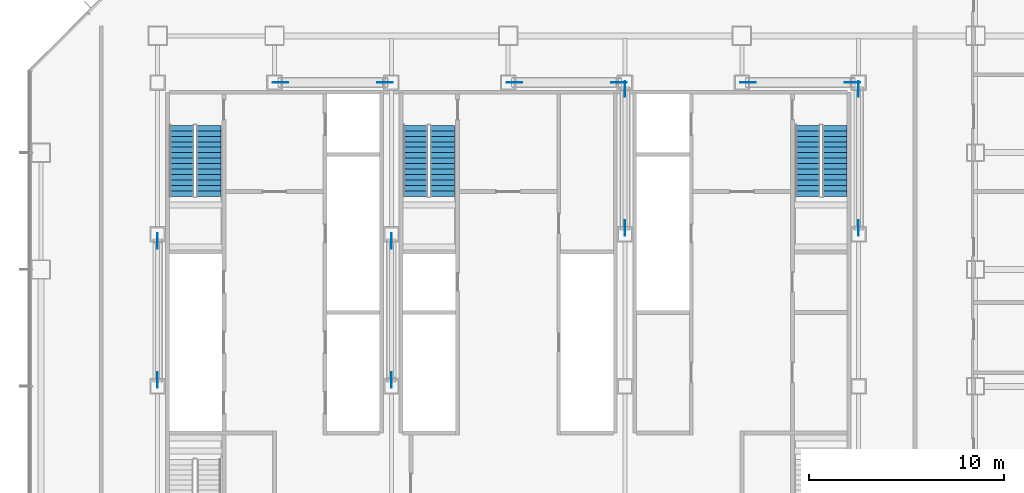
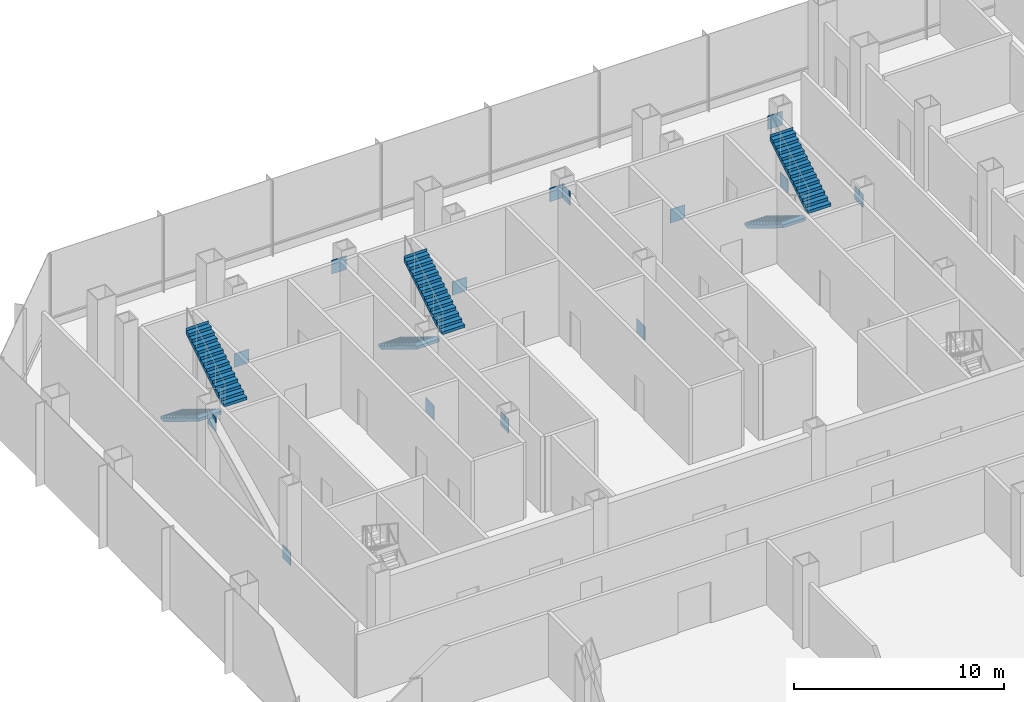
# One storey, part 26 of 33: 14 discrete accessories, 6 stair flights, 3 elements without a shape of their own.
"""IFC4 building model written with IfcOpenShell, lengths in metres."""

from ifc_helpers import new_model, si_unit, direction, frame, origin, origin_2d, place, context, subcontext, project, spatial, polyline, rectangle, outline, extrude, material, layer, layer_set, type_object, element, aggregate, save


model = new_model("IFC4")

# Units and contexts
model_context = context("Model", 3, precision=1e-05, world=origin(), true_north=direction((0.0, 1.0)))
body_context = subcontext(model_context, "Body", "Model", "MODEL_VIEW")
ifc_project = project(units=[si_unit("LENGTHUNIT", "METRE"), si_unit("AREAUNIT", "SQUARE_METRE"), si_unit("VOLUMEUNIT", "CUBIC_METRE"), si_unit("PLANEANGLEUNIT", "RADIAN"), si_unit("MASSUNIT", "GRAM", prefix="KILO")], contexts=[model_context])

# Site, building, storey
site_placement = place(None, origin())
site = spatial("IfcSite", under=ifc_project, at=site_placement, CompositionType="ELEMENT")
building_placement = place(site_placement, origin())
building = spatial("IfcBuilding", under=site, at=building_placement, Name="Sorahane Residences", CompositionType="ELEMENT")
storey_placement = place(building_placement, frame((0.0, 0.0, 30.0)))
storey = spatial("IfcBuildingStorey", under=building, at=storey_placement, Name="L04", CompositionType="ELEMENT", Elevation=30.0)

# Stair, stair flights
ifc_material_1 = material(Name="Concrete C40", Category="concrete")
stair_type = type_object("IfcStairType", Name="Dog-leg stair 1250 Concrete C40", PredefinedType="HALF_TURN_STAIR", material=ifc_material_1)
stair_1_placement = place(storey_placement, origin())
stair_1 = element("IfcStair", 1, at=stair_1_placement, inside=storey, type_object=stair_type, Name="L04 Stair S1", PredefinedType="HALF_TURN_STAIR")
ifc_material_2 = material(Name="Concrete C40", Category="concrete")
stair_flight_type = type_object("IfcStairFlightType", Name="Stair flight 1250 Concrete C40", PredefinedType="STRAIGHT", material=ifc_material_2)
stair_flight_1_placement = place(storey_placement, frame((7.22509765625, 43.39990234375, 0.0), z_axis=(0.0, 0.0, 1.0), x_axis=(0.0, -1.0, 0.0)))
stair_flight_1 = element("IfcStairFlight", 2, at=stair_flight_1_placement, type_object=stair_flight_type, Name="S1 flight 1", NumberOfRisers=14, NumberOfTreads=13, PredefinedType="STRAIGHT", RiserHeight=0.171428571, TreadLength=0.28, context=body_context, shape_type="SweptSolid", body=[
    extrude(outline(polyline([(-0.00146484375, 0.0), (-0.00146484375, 0.17138671875), (0.0, 0.17138671875), (0.280029296875, 0.17138671875), (0.280029296875, 0.3427734375), (0.56005859375, 0.3427734375), (0.56005859375, 0.514404296875), (0.840087890625, 0.514404296875), (0.840087890625, 0.685791015625), (1.1201171875, 0.685791015625), (1.1201171875, 0.857177734375), (1.39990234375, 0.857177734375), (1.39990234375, 1.028564453125), (1.679931640625, 1.028564453125), (1.679931640625, 1.199951171875), (1.9599609375, 1.199951171875), (1.9599609375, 1.371337890625), (2.239990234375, 1.371337890625), (2.239990234375, 1.54296875), (2.52001953125, 1.54296875), (2.52001953125, 1.71435546875), (2.800048828125, 1.71435546875), (2.800048828125, 1.8857421875), (3.080078125, 1.8857421875), (3.080078125, 2.05712890625), (3.360107421875, 2.05712890625), (3.360107421875, 2.228515625), (3.639892578125, 2.228515625), (3.639892578125, 2.39990234375), (3.639892578125, 2.052734375), (3.41650390625, 1.916015625), (3.19287109375, 1.779052734375), (2.969482421875, 1.642333984375), (2.745849609375, 1.50537109375), (2.5224609375, 1.36865234375), (2.298828125, 1.231689453125), (2.0751953125, 1.0947265625), (1.851806640625, 0.9580078125), (1.628173828125, 0.821044921875), (1.40478515625, 0.684326171875), (1.18115234375, 0.54736328125), (0.957763671875, 0.41064453125), (0.734130859375, 0.273681640625), (0.510498046875, 0.136962890625), (0.287109375, 0.0), (-0.00146484375, 0.0)])), frame((0.0, 0.625, 0.0), z_axis=(0.0, -1.0, 0.0), x_axis=(1.0, 0.0, 0.0)), (0.0, 0.0, 1.0), 1.25),
])
stair_flight_2_placement = place(storey_placement, frame((8.625, 39.760009765625, 2.39990234375), z_axis=(0.0, 0.0, 1.0), x_axis=(0.0, 1.0, 0.0)))
stair_flight_2 = element("IfcStairFlight", 3, at=stair_flight_2_placement, type_object=stair_flight_type, Name="S1 flight 2", NumberOfRisers=14, NumberOfTreads=13, PredefinedType="STRAIGHT", RiserHeight=0.171428571, TreadLength=0.28, context=body_context, shape_type="SweptSolid", body=[
    extrude(outline(polyline([(0.0, 0.0), (0.0, 0.17138671875), (0.280029296875, 0.17138671875), (0.280029296875, 0.3427734375), (0.56005859375, 0.3427734375), (0.56005859375, 0.514404296875), (0.840087890625, 0.514404296875), (0.840087890625, 0.685791015625), (1.1201171875, 0.685791015625), (1.1201171875, 0.857177734375), (1.39990234375, 0.857177734375), (1.39990234375, 1.028564453125), (1.679931640625, 1.028564453125), (1.679931640625, 1.199951171875), (1.9599609375, 1.199951171875), (1.9599609375, 1.371337890625), (2.239990234375, 1.371337890625), (2.239990234375, 1.54296875), (2.52001953125, 1.54296875), (2.52001953125, 1.71435546875), (2.800048828125, 1.71435546875), (2.800048828125, 1.8857421875), (3.080078125, 1.8857421875), (3.080078125, 2.05712890625), (3.360107421875, 2.05712890625), (3.360107421875, 2.228515625), (3.639892578125, 2.228515625), (3.639892578125, 2.39990234375), (3.6416015625, 2.39990234375), (3.6416015625, 2.052734375), (3.41796875, 1.916015625), (3.1943359375, 1.779052734375), (2.970703125, 1.642333984375), (2.7470703125, 1.50537109375), (2.5234375, 1.36865234375), (2.2998046875, 1.231689453125), (2.076171875, 1.0947265625), (1.8525390625, 0.9580078125), (1.62890625, 0.821044921875), (1.4052734375, 0.684326171875), (1.181640625, 0.54736328125), (0.9580078125, 0.41064453125), (0.734375, 0.273681640625), (0.5107421875, 0.136962890625), (0.287109375, 0.0), (0.0, 0.0)])), frame((0.0, 0.625, 0.0), z_axis=(0.0, -1.0, 0.0), x_axis=(1.0, 0.0, 0.0)), (0.0, 0.0, 1.0), 1.25),
])
aggregate(stair_1, [stair_flight_1, stair_flight_2])

stair_2_placement = place(storey_placement, origin())
stair_2 = element("IfcStair", 4, at=stair_2_placement, inside=storey, type_object=stair_type, Name="L04 Stair S2", PredefinedType="HALF_TURN_STAIR")
stair_flight_3_placement = place(storey_placement, frame((39.375, 43.39990234375, 0.0), z_axis=(0.0, 0.0, 1.0), x_axis=(0.0, -1.0, 0.0)))
stair_flight_3 = element("IfcStairFlight", 5, at=stair_flight_3_placement, type_object=stair_flight_type, Name="S2 flight 1", NumberOfRisers=14, NumberOfTreads=13, PredefinedType="STRAIGHT", RiserHeight=0.171428571, TreadLength=0.28, context=body_context, shape_type="SweptSolid", body=[
    extrude(outline(polyline([(-0.00146484375, 0.0), (-0.00146484375, 0.17138671875), (0.0, 0.17138671875), (0.280029296875, 0.17138671875), (0.280029296875, 0.3427734375), (0.56005859375, 0.3427734375), (0.56005859375, 0.514404296875), (0.840087890625, 0.514404296875), (0.840087890625, 0.685791015625), (1.1201171875, 0.685791015625), (1.1201171875, 0.857177734375), (1.39990234375, 0.857177734375), (1.39990234375, 1.028564453125), (1.679931640625, 1.028564453125), (1.679931640625, 1.199951171875), (1.9599609375, 1.199951171875), (1.9599609375, 1.371337890625), (2.239990234375, 1.371337890625), (2.239990234375, 1.54296875), (2.52001953125, 1.54296875), (2.52001953125, 1.71435546875), (2.800048828125, 1.71435546875), (2.800048828125, 1.8857421875), (3.080078125, 1.8857421875), (3.080078125, 2.05712890625), (3.360107421875, 2.05712890625), (3.360107421875, 2.228515625), (3.639892578125, 2.228515625), (3.639892578125, 2.39990234375), (3.639892578125, 2.052734375), (3.41650390625, 1.916015625), (3.19287109375, 1.779052734375), (2.969482421875, 1.642333984375), (2.745849609375, 1.50537109375), (2.5224609375, 1.36865234375), (2.298828125, 1.231689453125), (2.0751953125, 1.0947265625), (1.851806640625, 0.9580078125), (1.628173828125, 0.821044921875), (1.40478515625, 0.684326171875), (1.18115234375, 0.54736328125), (0.957763671875, 0.41064453125), (0.734130859375, 0.273681640625), (0.510498046875, 0.136962890625), (0.287109375, 0.0), (-0.00146484375, 0.0)])), frame((0.0, 0.625, 0.0), z_axis=(0.0, -1.0, 0.0), x_axis=(1.0, 0.0, 0.0)), (0.0, 0.0, 1.0), 1.25),
])
stair_flight_4_placement = place(storey_placement, frame((40.77490234375, 39.760009765625, 2.39990234375), z_axis=(0.0, 0.0, 1.0), x_axis=(0.0, 1.0, 0.0)))
stair_flight_4 = element("IfcStairFlight", 6, at=stair_flight_4_placement, type_object=stair_flight_type, Name="S2 flight 2", NumberOfRisers=14, NumberOfTreads=13, PredefinedType="STRAIGHT", RiserHeight=0.171428571, TreadLength=0.28, context=body_context, shape_type="SweptSolid", body=[
    extrude(outline(polyline([(0.0, 0.0), (0.0, 0.17138671875), (0.280029296875, 0.17138671875), (0.280029296875, 0.3427734375), (0.56005859375, 0.3427734375), (0.56005859375, 0.514404296875), (0.840087890625, 0.514404296875), (0.840087890625, 0.685791015625), (1.1201171875, 0.685791015625), (1.1201171875, 0.857177734375), (1.39990234375, 0.857177734375), (1.39990234375, 1.028564453125), (1.679931640625, 1.028564453125), (1.679931640625, 1.199951171875), (1.9599609375, 1.199951171875), (1.9599609375, 1.371337890625), (2.239990234375, 1.371337890625), (2.239990234375, 1.54296875), (2.52001953125, 1.54296875), (2.52001953125, 1.71435546875), (2.800048828125, 1.71435546875), (2.800048828125, 1.8857421875), (3.080078125, 1.8857421875), (3.080078125, 2.05712890625), (3.360107421875, 2.05712890625), (3.360107421875, 2.228515625), (3.639892578125, 2.228515625), (3.639892578125, 2.39990234375), (3.6416015625, 2.39990234375), (3.6416015625, 2.052734375), (3.41796875, 1.916015625), (3.1943359375, 1.779052734375), (2.970703125, 1.642333984375), (2.7470703125, 1.50537109375), (2.5234375, 1.36865234375), (2.2998046875, 1.231689453125), (2.076171875, 1.0947265625), (1.8525390625, 0.9580078125), (1.62890625, 0.821044921875), (1.4052734375, 0.684326171875), (1.181640625, 0.54736328125), (0.9580078125, 0.41064453125), (0.734375, 0.273681640625), (0.5107421875, 0.136962890625), (0.287109375, 0.0), (0.0, 0.0)])), frame((0.0, 0.625, 0.0), z_axis=(0.0, -1.0, 0.0), x_axis=(1.0, 0.0, 0.0)), (0.0, 0.0, 1.0), 1.25),
])
aggregate(stair_2, [stair_flight_3, stair_flight_4])

stair_3_placement = place(storey_placement, origin())
stair_3 = element("IfcStair", 7, at=stair_3_placement, inside=storey, type_object=stair_type, Name="L04 Stair S3", PredefinedType="HALF_TURN_STAIR")
stair_flight_5_placement = place(storey_placement, frame((19.22509765625, 43.39990234375, 0.0), z_axis=(0.0, 0.0, 1.0), x_axis=(0.0, -1.0, 0.0)))
stair_flight_5 = element("IfcStairFlight", 8, at=stair_flight_5_placement, type_object=stair_flight_type, Name="S3 flight 1", NumberOfRisers=14, NumberOfTreads=13, PredefinedType="STRAIGHT", RiserHeight=0.171428571, TreadLength=0.28, context=body_context, shape_type="SweptSolid", body=[
    extrude(outline(polyline([(-0.00146484375, 0.0), (-0.00146484375, 0.17138671875), (0.0, 0.17138671875), (0.280029296875, 0.17138671875), (0.280029296875, 0.3427734375), (0.56005859375, 0.3427734375), (0.56005859375, 0.514404296875), (0.840087890625, 0.514404296875), (0.840087890625, 0.685791015625), (1.1201171875, 0.685791015625), (1.1201171875, 0.857177734375), (1.39990234375, 0.857177734375), (1.39990234375, 1.028564453125), (1.679931640625, 1.028564453125), (1.679931640625, 1.199951171875), (1.9599609375, 1.199951171875), (1.9599609375, 1.371337890625), (2.239990234375, 1.371337890625), (2.239990234375, 1.54296875), (2.52001953125, 1.54296875), (2.52001953125, 1.71435546875), (2.800048828125, 1.71435546875), (2.800048828125, 1.8857421875), (3.080078125, 1.8857421875), (3.080078125, 2.05712890625), (3.360107421875, 2.05712890625), (3.360107421875, 2.228515625), (3.639892578125, 2.228515625), (3.639892578125, 2.39990234375), (3.639892578125, 2.052734375), (3.41650390625, 1.916015625), (3.19287109375, 1.779052734375), (2.969482421875, 1.642333984375), (2.745849609375, 1.50537109375), (2.5224609375, 1.36865234375), (2.298828125, 1.231689453125), (2.0751953125, 1.0947265625), (1.851806640625, 0.9580078125), (1.628173828125, 0.821044921875), (1.40478515625, 0.684326171875), (1.18115234375, 0.54736328125), (0.957763671875, 0.41064453125), (0.734130859375, 0.273681640625), (0.510498046875, 0.136962890625), (0.287109375, 0.0), (-0.00146484375, 0.0)])), frame((0.0, 0.625, 0.0), z_axis=(0.0, -1.0, 0.0), x_axis=(1.0, 0.0, 0.0)), (0.0, 0.0, 1.0), 1.25),
])
stair_flight_6_placement = place(storey_placement, frame((20.625, 39.760009765625, 2.39990234375), z_axis=(0.0, 0.0, 1.0), x_axis=(0.0, 1.0, 0.0)))
stair_flight_6 = element("IfcStairFlight", 9, at=stair_flight_6_placement, type_object=stair_flight_type, Name="S3 flight 2", NumberOfRisers=14, NumberOfTreads=13, PredefinedType="STRAIGHT", RiserHeight=0.171428571, TreadLength=0.28, context=body_context, shape_type="SweptSolid", body=[
    extrude(outline(polyline([(0.0, 0.0), (0.0, 0.17138671875), (0.280029296875, 0.17138671875), (0.280029296875, 0.3427734375), (0.56005859375, 0.3427734375), (0.56005859375, 0.514404296875), (0.840087890625, 0.514404296875), (0.840087890625, 0.685791015625), (1.1201171875, 0.685791015625), (1.1201171875, 0.857177734375), (1.39990234375, 0.857177734375), (1.39990234375, 1.028564453125), (1.679931640625, 1.028564453125), (1.679931640625, 1.199951171875), (1.9599609375, 1.199951171875), (1.9599609375, 1.371337890625), (2.239990234375, 1.371337890625), (2.239990234375, 1.54296875), (2.52001953125, 1.54296875), (2.52001953125, 1.71435546875), (2.800048828125, 1.71435546875), (2.800048828125, 1.8857421875), (3.080078125, 1.8857421875), (3.080078125, 2.05712890625), (3.360107421875, 2.05712890625), (3.360107421875, 2.228515625), (3.639892578125, 2.228515625), (3.639892578125, 2.39990234375), (3.6416015625, 2.39990234375), (3.6416015625, 2.052734375), (3.41796875, 1.916015625), (3.1943359375, 1.779052734375), (2.970703125, 1.642333984375), (2.7470703125, 1.50537109375), (2.5234375, 1.36865234375), (2.2998046875, 1.231689453125), (2.076171875, 1.0947265625), (1.8525390625, 0.9580078125), (1.62890625, 0.821044921875), (1.4052734375, 0.684326171875), (1.181640625, 0.54736328125), (0.9580078125, 0.41064453125), (0.734375, 0.273681640625), (0.5107421875, 0.136962890625), (0.287109375, 0.0), (0.0, 0.0)])), frame((0.0, 0.625, 0.0), z_axis=(0.0, -1.0, 0.0), x_axis=(1.0, 0.0, 0.0)), (0.0, 0.0, 1.0), 1.25),
])
aggregate(stair_3, [stair_flight_5, stair_flight_6])

# Discrete accessories
ifc_material_3 = material(Name="Steel Q355B", Category="steel")
ifc_layer = layer(ifc_material_3, 0.02490234375)
ifc_layer_set = layer_set([ifc_layer], Name="Node plate Steel Q355B 25")
discrete_accessory_type = type_object("IfcDiscreteAccessoryType", Name="Node plate Steel Q355B 25", PredefinedType="BRACKET", material=ifc_layer_set)
for number, where, z_axis, x_axis, name in (
    (10, (6.0, 30.333740234375, -0.1826171875), (0.0, 0.0, 1.0), (0.0, 1.0, 0.0), "Node plate L04 br"),
    (11, (6.0, 37.46630859375, 3.33251953125), (0.0, 0.0, 1.0), (0.0, 1.0, 0.0), "Node plate L04 br"),
    (12, (18.0, 37.46630859375, -0.1826171875), (0.0, 0.0, 1.0), (0.0, 1.0, 0.0), "Node plate L04 br"),
    (13, (18.0, 30.333740234375, 3.33251953125), (0.0, 0.0, 1.0), (0.0, 1.0, 0.0), "Node plate L04 br"),
    (14, (30.0, 38.1337890625, -0.1826171875), (0.0, 0.0, 1.0), (0.0, 1.0, 0.0), "Node plate L04 br"),
    (15, (30.0, 45.266357421875, 3.33251953125), (0.0, 0.0, 1.0), (0.0, 1.0, 0.0), "Node plate L04 br"),
    (16, (42.0, 45.266357421875, -0.1826171875), (0.0, 0.0, 1.0), (0.0, 1.0, 0.0), "Node plate L04 br"),
    (17, (42.0, 38.1337890625, 3.33251953125), (0.0, 0.0, 1.0), (0.0, 1.0, 0.0), "Node plate L04 br"),
    (18, (12.317138671875, 45.60009765625, -0.205078125), (0.0, 0.0, 1.0), (1.0, 0.0, 0.0), "Node plate L04 br"),
    (19, (24.317138671875, 45.60009765625, -0.205078125), (0.0, 0.0, 1.0), (1.0, 0.0, 0.0), "Node plate L04 br"),
    (20, (36.317138671875, 45.60009765625, -0.205078125), (0.0, 0.0, 1.0), (1.0, 0.0, 0.0), "Node plate L04 br"),
    (21, (17.682861328125, 45.60009765625, 3.35498046875), (0.0, 0.0, 1.0), (1.0, 0.0, 0.0), "Node plate L04 br"),
    (22, (29.682861328125, 45.60009765625, 3.35498046875), (0.0, 0.0, 1.0), (1.0, 0.0, 0.0), "Node plate L04 br"),
    (23, (41.682861328125, 45.60009765625, 3.35498046875), (0.0, 0.0, 1.0), (1.0, 0.0, 0.0), "Node plate L04 br"),
):
    element("IfcDiscreteAccessory", number, at=place(storey_placement, frame(where, z_axis=z_axis, x_axis=x_axis)), inside=storey, type_object=discrete_accessory_type, Name=name, PredefinedType="BRACKET", context=body_context, shape_type="SweptSolid", body=[
        extrude(rectangle(XDim=0.800048828125, YDim=0.02490234375, at=origin_2d()), origin(), (0.0, 0.0, 1.0), 0.800048828125),
    ])

save(model, "model.ifc")
